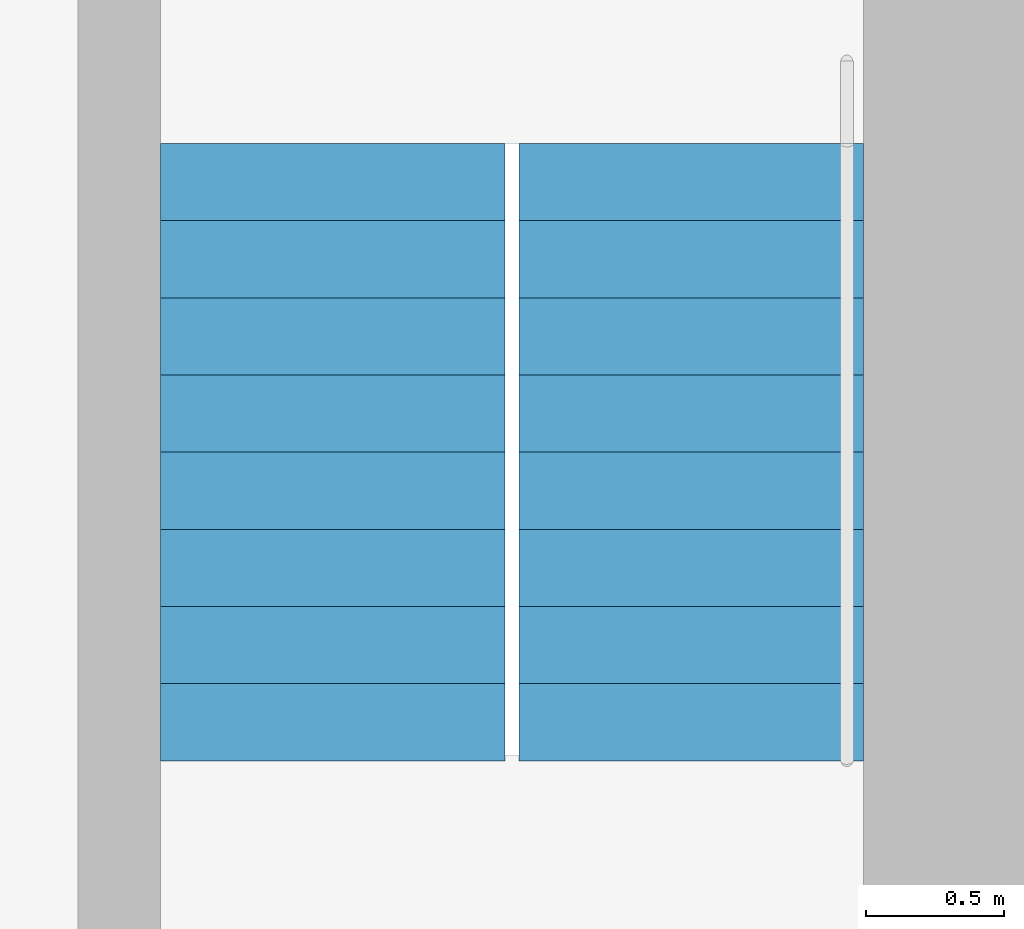
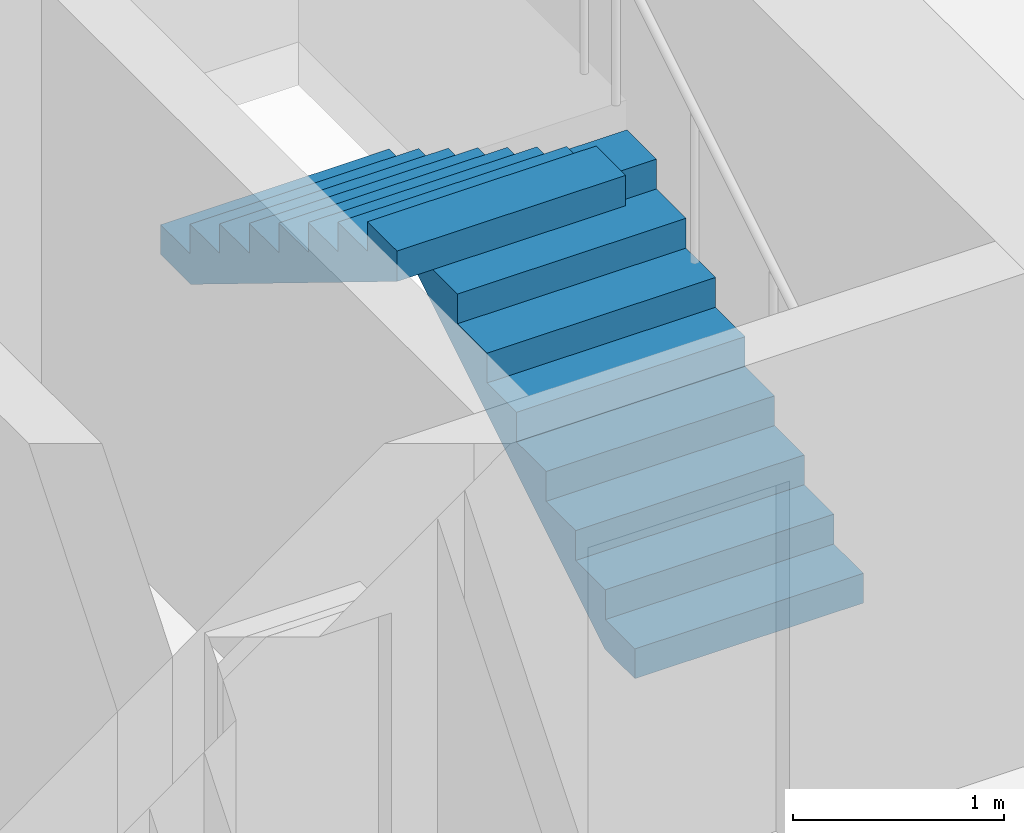
# One storey, part 15 of 17: 2 stair flights, 1 element without a shape of its own.
"""IFC4 building model written with IfcOpenShell, lengths in metres."""

from ifc_helpers import new_model, si_unit, direction, frame, origin, place, context, subcontext, project, spatial, polyline, outline, extrude, material, type_object, element, aggregate, save


model = new_model("IFC4")

# Units and contexts
model_context = context("Model", 3, precision=1e-05, world=origin(), true_north=direction((0.0, 1.0)))
body_context = subcontext(model_context, "Body", "Model", "MODEL_VIEW")
ifc_project = project(units=[si_unit("LENGTHUNIT", "METRE"), si_unit("AREAUNIT", "SQUARE_METRE"), si_unit("VOLUMEUNIT", "CUBIC_METRE"), si_unit("PLANEANGLEUNIT", "RADIAN"), si_unit("MASSUNIT", "GRAM", prefix="KILO")], contexts=[model_context])

# Site, building, storey
site_placement = place(None, origin())
site = spatial("IfcSite", under=ifc_project, at=site_placement, CompositionType="ELEMENT")
building_placement = place(site_placement, origin())
building = spatial("IfcBuilding", under=site, at=building_placement, Name="Tuart Gate Housing", CompositionType="ELEMENT")
storey_placement = place(building_placement, frame((0.0, 0.0, 84.0)))
storey = spatial("IfcBuildingStorey", under=building, at=storey_placement, Name="L23", CompositionType="ELEMENT", Elevation=84.0)

# Stair, stair flights
ifc_material_1 = material(Name="Concrete C40", Category="concrete")
stair_type = type_object("IfcStairType", Name="Core stair 1250", PredefinedType="HALF_TURN_STAIR", material=ifc_material_1)
stair_placement = place(storey_placement, origin())
stair = element("IfcStair", 1, at=stair_placement, inside=storey, type_object=stair_type, Name="Stair SB2", PredefinedType="HALF_TURN_STAIR")
ifc_material_2 = material(Name="Concrete C40", Category="concrete")
stair_flight_type = type_object("IfcStairFlightType", Name="Stair flight 1250, 9 risers 172 x 280", PredefinedType="STRAIGHT", material=ifc_material_2)
stair_flight_1_placement = place(storey_placement, frame((167.31494140625, 70.14990234375, 0.0), z_axis=(0.0, 0.0, 1.0), x_axis=(0.0, 1.0, 0.0)))
stair_flight_1 = element("IfcStairFlight", 2, at=stair_flight_1_placement, type_object=stair_flight_type, Name="SB2 flight 1", NumberOfRisers=9, NumberOfTreads=8, PredefinedType="STRAIGHT", RiserHeight=0.172222222, TreadLength=0.28, context=body_context, shape_type="SweptSolid", body=[
    extrude(outline(polyline([(0.0, 0.0), (0.0, 0.172119140625), (0.280029296875, 0.172119140625), (0.280029296875, 0.344482421875), (0.56005859375, 0.344482421875), (0.56005859375, 0.5166015625), (0.840087890625, 0.5166015625), (0.840087890625, 0.68896484375), (1.1201171875, 0.68896484375), (1.1201171875, 0.861083984375), (1.39990234375, 0.861083984375), (1.39990234375, 1.033447265625), (1.679931640625, 1.033447265625), (1.679931640625, 1.20556640625), (1.9599609375, 1.20556640625), (1.9599609375, 1.377685546875), (2.239990234375, 1.377685546875), (2.239990234375, 1.550048828125), (2.239990234375, 1.201904296875), (0.2861328125, 0.0), (0.0, 0.0)])), frame((0.0, 0.625, 0.0), z_axis=(0.0, -1.0, 0.0), x_axis=(1.0, 0.0, 0.0)), (0.0, 0.0, 1.0), 1.25),
])
stair_flight_2_placement = place(storey_placement, frame((166.014892578125, 72.389892578125, 1.550048828125), z_axis=(0.0, 0.0, 1.0), x_axis=(0.0, -1.0, 0.0)))
stair_flight_2 = element("IfcStairFlight", 3, at=stair_flight_2_placement, type_object=stair_flight_type, Name="SB2 flight 2", NumberOfRisers=9, NumberOfTreads=8, PredefinedType="STRAIGHT", RiserHeight=0.172222222, TreadLength=0.28, context=body_context, shape_type="SweptSolid", body=[
    extrude(outline(polyline([(0.0, 0.0), (0.0, 0.172119140625), (0.280029296875, 0.172119140625), (0.280029296875, 0.344482421875), (0.56005859375, 0.344482421875), (0.56005859375, 0.5166015625), (0.840087890625, 0.5166015625), (0.840087890625, 0.68896484375), (1.1201171875, 0.68896484375), (1.1201171875, 0.861083984375), (1.39990234375, 0.861083984375), (1.39990234375, 1.033447265625), (1.679931640625, 1.033447265625), (1.679931640625, 1.20556640625), (1.9599609375, 1.20556640625), (1.9599609375, 1.377685546875), (2.239990234375, 1.377685546875), (2.239990234375, 1.550048828125), (2.239990234375, 1.201904296875), (0.2861328125, 0.0), (0.0, 0.0)])), frame((0.0, 0.625, 0.0), z_axis=(0.0, -1.0, 0.0), x_axis=(1.0, 0.0, 0.0)), (0.0, 0.0, 1.0), 1.25),
])
aggregate(stair, [stair_flight_1, stair_flight_2])

save(model, "model.ifc")
